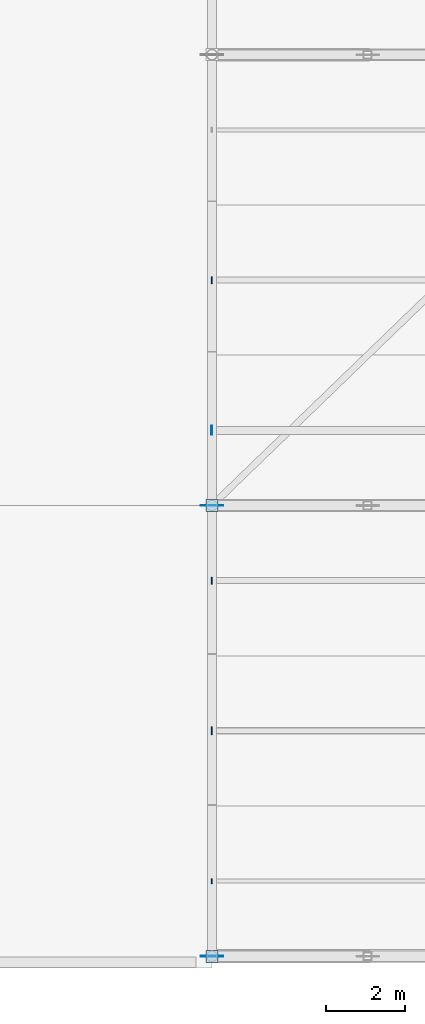
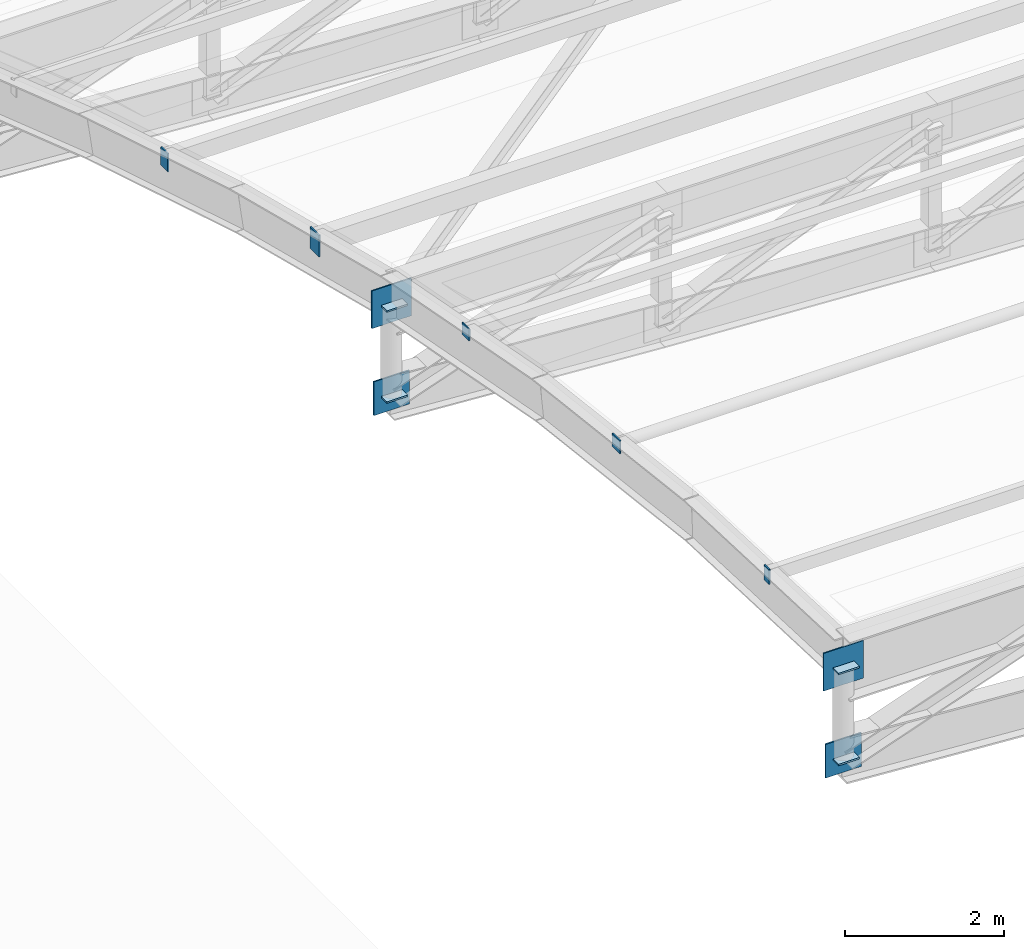
# One storey, part 32 of 65: 13 plates.
"""IFC4 building model written with IfcOpenShell, lengths in metres."""

from ifc_helpers import new_model, si_unit, direction, frame, origin, origin_2d, place, context, subcontext, project, spatial, rectangle, extrude, material, layer, layer_set, type_object, element, save


model = new_model("IFC4")

# Units and contexts
model_context = context("Model", 3, precision=1e-05, world=origin(), true_north=direction((0.0, 1.0)))
body_context = subcontext(model_context, "Body", "Model", "MODEL_VIEW")
ifc_project = project(units=[si_unit("LENGTHUNIT", "METRE"), si_unit("AREAUNIT", "SQUARE_METRE"), si_unit("VOLUMEUNIT", "CUBIC_METRE"), si_unit("PLANEANGLEUNIT", "RADIAN"), si_unit("MASSUNIT", "GRAM", prefix="KILO"), si_unit("POWERUNIT", "WATT"), si_unit("THERMODYNAMICTEMPERATUREUNIT", "KELVIN")], contexts=[model_context])

# Site, building, storey
site_placement = place(None, origin())
site = spatial("IfcSite", under=ifc_project, at=site_placement, CompositionType="ELEMENT")
building_placement = place(site_placement, origin())
building = spatial("IfcBuilding", under=site, at=building_placement, Name="Kelmbourne Parkland Aquatics Centre", CompositionType="ELEMENT")
storey_placement = place(building_placement, frame((0.0, 0.0, 27.0)))
storey = spatial("IfcBuildingStorey", under=building, at=storey_placement, Name="RF", CompositionType="ELEMENT", Elevation=27.0)

# Plates
ifc_material = material(Name="Welded plate steel AS/NZS 3678 Grade 350", Category="steel")
ifc_layer_1 = layer(ifc_material, 0.02001953125)
ifc_layer_set_1 = layer_set([ifc_layer_1], Name="Welded plate steel AS/NZS 3678 Grade 350")
plate_type_1 = type_object("IfcPlateType", Name="PL-CAP-20", PredefinedType="USERDEFINED", material=ifc_layer_set_1)
plate_1_placement = place(storey_placement, frame((127.990966796875, 2.699951171875, -0.681396484375), z_axis=(0.0, 0.0, 1.0), x_axis=(-1.0, 0.0, 0.0)))
element("IfcPlate", 1, at=plate_1_placement, inside=storey, type_object=plate_type_1, Name="Hollow end cap plate CAP-0301", ObjectType="END CAP PLATE", PredefinedType="USERDEFINED", context=body_context, shape_type="SweptSolid", body=[
    extrude(rectangle(XDim=0.02001953125, YDim=0.1298828125, at=origin_2d()), origin(), (0.0, 0.0, 1.0), 0.22998046875),
])
plate_2_placement = place(storey_placement, frame((127.990966796875, 6.5, -0.951904296875), z_axis=(0.0, 0.0, 1.0), x_axis=(-1.0, 0.0, 0.0)))
element("IfcPlate", 2, at=plate_2_placement, inside=storey, type_object=plate_type_1, Name="Hollow end cap plate CAP-0309", ObjectType="END CAP PLATE", PredefinedType="USERDEFINED", context=body_context, shape_type="SweptSolid", body=[
    extrude(rectangle(XDim=0.02001953125, YDim=0.1982421875, at=origin_2d()), origin(), (0.0, 0.0, 1.0), 0.1982421875),
])
plate_3_placement = place(storey_placement, frame((127.990966796875, 10.300048828125, -1.5224609375), z_axis=(0.0, 0.0, 1.0), x_axis=(-1.0, 0.0, 0.0)))
element("IfcPlate", 3, at=plate_3_placement, inside=storey, type_object=plate_type_1, Name="Hollow end cap plate CAP-0317", ObjectType="END CAP PLATE", PredefinedType="USERDEFINED", context=body_context, shape_type="SweptSolid", body=[
    extrude(rectangle(XDim=0.02001953125, YDim=0.179931640625, at=origin_2d()), origin(), (0.0, 0.0, 1.0), 0.179931640625),
])
plate_4_placement = place(storey_placement, frame((127.990966796875, 17.89990234375, -3.52978515625), z_axis=(0.0, 0.0, 1.0), x_axis=(-1.0, 0.0, 0.0)))
element("IfcPlate", 4, at=plate_4_placement, inside=storey, type_object=plate_type_1, Name="Hollow end cap plate CAP-0333", ObjectType="END CAP PLATE", PredefinedType="USERDEFINED", context=body_context, shape_type="SweptSolid", body=[
    extrude(rectangle(XDim=0.02001953125, YDim=0.179931640625, at=origin_2d()), origin(), (0.0, 0.0, 1.0), 0.280029296875),
])
ifc_layer_2 = layer(ifc_material, 0.02392578125)
ifc_layer_set_2 = layer_set([ifc_layer_2], Name="Welded plate steel AS/NZS 3678 Grade 350")
plate_type_2 = type_object("IfcPlateType", Name="PL-CAP-24", PredefinedType="USERDEFINED", material=ifc_layer_set_2)
for number, where, z_axis, x_axis, name in (
    (5, (128.0, 0.800048828125, -2.222900390625), (0.0, 0.0, 1.0), (1.0, 0.0, 0.0), "Hollow end cap plate CAP-0015"),
    (6, (128.0, 0.800048828125, -0.821044921875), (0.0, 0.0, 1.0), (1.0, 0.0, 0.0), "Hollow end cap plate CAP-0016"),
    (7, (128.0, 12.199951171875, -3.5537109375), (0.0, 0.0, 1.0), (1.0, 0.0, 0.0), "Hollow end cap plate CAP-0041"),
    (8, (128.0, 12.199951171875, -2.15185546875), (0.0, 0.0, 1.0), (1.0, 0.0, 0.0), "Hollow end cap plate CAP-0042"),
):
    element("IfcPlate", number, at=place(storey_placement, frame(where, z_axis=z_axis, x_axis=x_axis)), inside=storey, type_object=plate_type_2, Name=name, ObjectType="END CAP PLATE", PredefinedType="USERDEFINED", context=body_context, shape_type="SweptSolid", body=[
        extrude(rectangle(XDim=0.302978515625, YDim=0.302978515625, at=origin_2d()), origin(), (0.0, 0.0, 1.0), 0.02392578125),
    ])
plate_5_placement = place(storey_placement, frame((127.989013671875, 14.10009765625, -2.518798828125), z_axis=(0.0, 0.0, 1.0), x_axis=(-1.0, 0.0, 0.0)))
element("IfcPlate", 9, at=plate_5_placement, inside=storey, type_object=plate_type_2, Name="Hollow end cap plate CAP-0325", ObjectType="END CAP PLATE", PredefinedType="USERDEFINED", context=body_context, shape_type="SweptSolid", body=[
    extrude(rectangle(XDim=0.02392578125, YDim=0.22998046875, at=origin_2d()), origin(), (0.0, 0.0, 1.0), 0.330078125),
])
ifc_layer_3 = layer(ifc_material, 0.02001953125)
ifc_layer_set_3 = layer_set([ifc_layer_3], Name="Welded plate steel AS/NZS 3678 Grade 350")
plate_type_3 = type_object("IfcPlateType", Name="PL-GUS-1", PredefinedType="USERDEFINED", material=ifc_layer_set_3)
plate_6_placement = place(storey_placement, frame((128.0, 0.800048828125, -1.110107421875), z_axis=(0.0, 0.0, 1.0), x_axis=(1.0, 0.0, 0.0)))
element("IfcPlate", 10, at=plate_6_placement, inside=storey, type_object=plate_type_3, Name="Truss top node TN-1 gusset plate R00-N0", ObjectType="GUSSET PLATE", PredefinedType="USERDEFINED", context=body_context, shape_type="SweptSolid", body=[
    extrude(rectangle(XDim=0.580078125, YDim=0.02001953125, at=origin_2d()), origin(), (0.0, 0.0, 1.0), 0.580078125),
])
plate_7_placement = place(storey_placement, frame((128.0, 0.800048828125, -2.4599609375), z_axis=(0.0, 0.0, 1.0), x_axis=(1.0, 0.0, 0.0)))
element("IfcPlate", 11, at=plate_7_placement, inside=storey, type_object=plate_type_3, Name="Truss bottom node TN-1 gusset plate R00-B0", ObjectType="GUSSET PLATE", PredefinedType="USERDEFINED", context=body_context, shape_type="SweptSolid", body=[
    extrude(rectangle(XDim=0.52001953125, YDim=0.02001953125, at=origin_2d()), origin(), (0.0, 0.0, 1.0), 0.52001953125),
])
plate_8_placement = place(storey_placement, frame((128.0, 12.199951171875, -2.44091796875), z_axis=(0.0, 0.0, 1.0), x_axis=(1.0, 0.0, 0.0)))
element("IfcPlate", 12, at=plate_8_placement, inside=storey, type_object=plate_type_3, Name="Truss top node TN-1 gusset plate R01-N0", ObjectType="GUSSET PLATE", PredefinedType="USERDEFINED", context=body_context, shape_type="SweptSolid", body=[
    extrude(rectangle(XDim=0.580078125, YDim=0.02001953125, at=origin_2d()), origin(), (0.0, 0.0, 1.0), 0.580078125),
])
plate_9_placement = place(storey_placement, frame((128.0, 12.199951171875, -3.790771484375), z_axis=(0.0, 0.0, 1.0), x_axis=(1.0, 0.0, 0.0)))
element("IfcPlate", 13, at=plate_9_placement, inside=storey, type_object=plate_type_3, Name="Truss bottom node TN-1 gusset plate R01-B0", ObjectType="GUSSET PLATE", PredefinedType="USERDEFINED", context=body_context, shape_type="SweptSolid", body=[
    extrude(rectangle(XDim=0.52001953125, YDim=0.02001953125, at=origin_2d()), origin(), (0.0, 0.0, 1.0), 0.52001953125),
])

save(model, "model.ifc")
